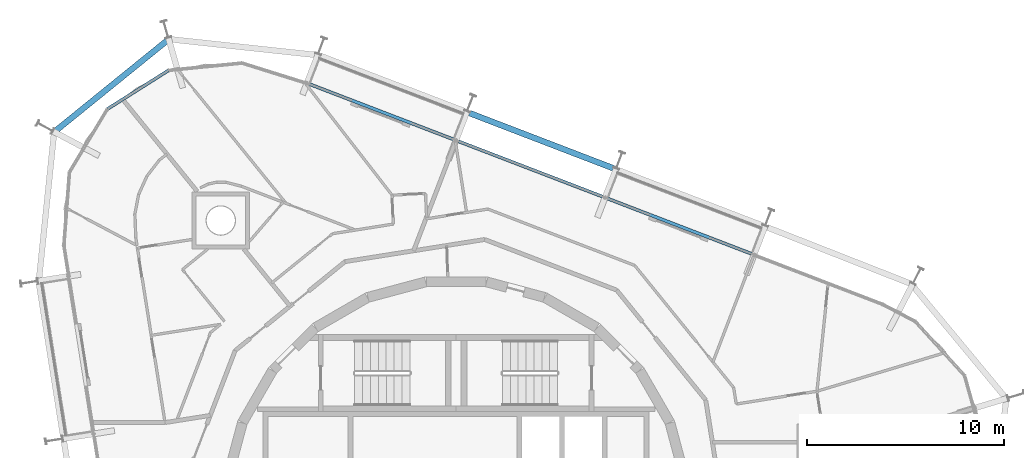
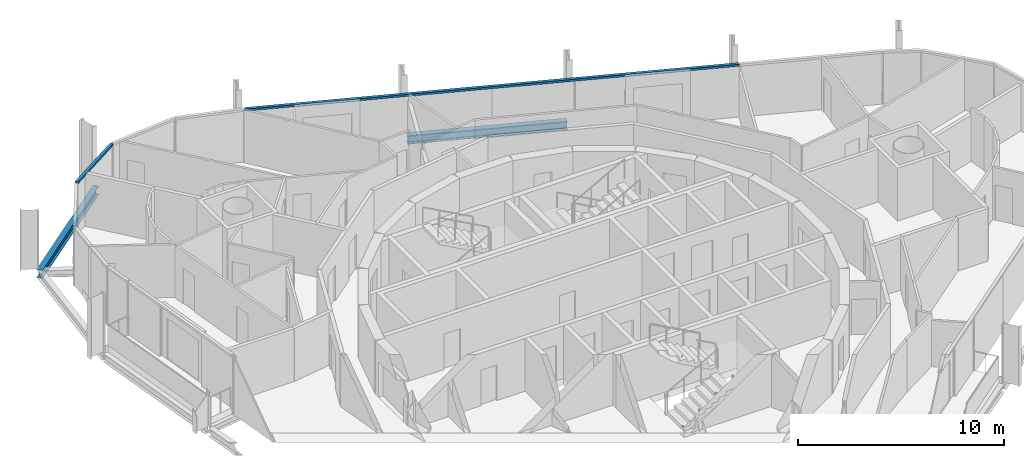
# One storey, part 7 of 18: 2 beams, 2 members, 2 elements without a shape of their own.
"""IFC4 building model written with IfcOpenShell, lengths in metres."""

from ifc_helpers import new_model, si_unit, direction, frame, origin, origin_2d, place, context, subcontext, project, spatial, rectangle, i_section, extrude, material, layer, layer_set, material_profile, profile_set, type_object, element, aggregate, save


model = new_model("IFC4")

# Units and contexts
model_context = context("Model", 3, precision=1e-05, world=origin(), true_north=direction((0.0, 1.0)))
body_context = subcontext(model_context, "Body", "Model", "MODEL_VIEW")
ifc_project = project(units=[si_unit("LENGTHUNIT", "METRE"), si_unit("AREAUNIT", "SQUARE_METRE"), si_unit("VOLUMEUNIT", "CUBIC_METRE"), si_unit("PLANEANGLEUNIT", "RADIAN"), si_unit("MASSUNIT", "GRAM", prefix="KILO")], contexts=[model_context])

# Site, building, storey
site_placement = place(None, origin())
site = spatial("IfcSite", under=ifc_project, at=site_placement, CompositionType="ELEMENT")
building_placement = place(site_placement, origin())
building = spatial("IfcBuilding", under=site, at=building_placement, Name="Spindle Arch Residences", CompositionType="ELEMENT")
storey_placement = place(building_placement, frame((0.0, 0.0, 273.89990234375)))
storey = spatial("IfcBuildingStorey", under=building, at=storey_placement, Name="L70", CompositionType="ELEMENT", Elevation=273.89990234375)

# Curtain wall, member
ifc_material_1 = material(Name="Aluminium bronze unitised frame with tinted glass", Category="aluminium")
ifc_layer_1 = layer(ifc_material_1, 0.159912109375)
ifc_layer_set_1 = layer_set([ifc_layer_1], Name="CW-C typical residential unitised wall")
curtain_wall_type_1 = type_object("IfcCurtainWallType", Name="CW-C typical residential unitised wall", PredefinedType="NOTDEFINED", material=ifc_layer_set_1)
curtain_wall_1_placement = place(storey_placement, origin())
curtain_wall_1 = element("IfcCurtainWall", 1, at=curtain_wall_1_placement, inside=storey, type_object=curtain_wall_type_1, Name="CW-C L70 run 2", PredefinedType="NOTDEFINED")
ifc_material_2 = material(Name="Aluminium bronze anodised transom", Category="aluminium")
ifc_material_profile_1 = material_profile(ifc_material_2, rectangle(XDim=0.159912109375, YDim=0.1201171875, at=origin_2d()), Name="TR 120x160")
ifc_profile_set_1 = profile_set([ifc_material_profile_1], Name="Aluminium bronze anodised transom")
member_type = type_object("IfcMemberType", Name="Bronze transom 120x160", PredefinedType="USERDEFINED", material=ifc_profile_set_1)
member_1_placement = place(storey_placement, frame((15.1015625, 13.0302734375, 3.06005859375), z_axis=(-0.933583473728, 0.358360011138, 0.0), x_axis=(-0.358360011138, -0.933583473728, 0.0)))
member_1 = element("IfcMember", 2, at=member_1_placement, type_object=member_type, Name="CW-C transom 00", ObjectType="TRANSOM", PredefinedType="USERDEFINED", context=body_context, shape_type="SweptSolid", body=[
    extrude(rectangle(XDim=0.159912109375, YDim=0.1201171875, at=origin_2d()), origin(), (0.0, 0.0, 1.0), 24.262939453125),
])
aggregate(curtain_wall_1, [member_1])

ifc_material_3 = material(Name="Aluminium bronze unitised frame with tinted glass", Category="aluminium")
ifc_layer_2 = layer(ifc_material_3, 0.159912109375)
ifc_layer_set_2 = layer_set([ifc_layer_2], Name="CW-D corner wall on the fillet arcs")
curtain_wall_type_2 = type_object("IfcCurtainWallType", Name="CW-D corner wall on the fillet arcs", PredefinedType="NOTDEFINED", material=ifc_layer_set_2)
curtain_wall_2_placement = place(storey_placement, origin())
curtain_wall_2 = element("IfcCurtainWall", 3, at=curtain_wall_2_placement, inside=storey, type_object=curtain_wall_type_2, Name="CW-D L70 run 3", PredefinedType="NOTDEFINED")
member_2_placement = place(storey_placement, frame((-14.608642578125, 22.38427734375, 3.06005859375), z_axis=(-0.844958488621, -0.53483189182, 0.0), x_axis=(0.53483189182, -0.844958488621, 0.0)))
member_2 = element("IfcMember", 4, at=member_2_placement, type_object=member_type, Name="CW-D transom 02", ObjectType="TRANSOM", PredefinedType="USERDEFINED", context=body_context, shape_type="SweptSolid", body=[
    extrude(rectangle(XDim=0.159912109375, YDim=0.1201171875, at=origin_2d()), origin(), (0.0, 0.0, 1.0), 3.6669921875),
])
aggregate(curtain_wall_2, [member_2])

# Beams
ifc_material_4 = material(Name="Steel S460ML, intumescent coating R 120", Category="steel")
ifc_material_profile_2 = material_profile(ifc_material_4, i_section(OverallWidth=0.300048828125, OverallDepth=0.5, WebThickness=0.014404296875, FlangeThickness=0.028076171875, FilletRadius=0.027099609375, at=origin_2d()), Name="HEB 500")
ifc_profile_set_2 = profile_set([ifc_material_profile_2], Name="Steel S460ML, intumescent coating R 120")
beam_type = type_object("IfcBeamType", Name="Exoskeleton edge beam HEB 500", PredefinedType="BEAM", material=ifc_profile_set_2)
beam_1_placement = place(storey_placement, frame((7.990966796875, 17.4091796875, -0.6298828125), z_axis=(-0.933573929793, 0.358384873579, 0.0), x_axis=(-0.358384873579, -0.933573929793, 0.0)))
element("IfcBeam", 5, at=beam_1_placement, inside=storey, type_object=beam_type, Name="Exoskeleton edge beam 7", PredefinedType="BEAM", context=body_context, shape_type="SweptSolid", body=[
    extrude(i_section(OverallWidth=0.300048828125, OverallDepth=0.5, WebThickness=0.014404296875, FlangeThickness=0.028076171875, FilletRadius=0.027099609375, at=origin_2d()), origin(), (0.0, 0.0, 1.0), 7.84765625),
])
beam_2_placement = place(storey_placement, frame((-14.536376953125, 24.014404296875, -0.6298828125), z_axis=(-0.777131622496, -0.62933809778, 0.0), x_axis=(0.62933809778, -0.777131622496, 0.0)))
element("IfcBeam", 6, at=beam_2_placement, inside=storey, type_object=beam_type, Name="Exoskeleton edge beam 10", PredefinedType="BEAM", context=body_context, shape_type="SweptSolid", body=[
    extrude(i_section(OverallWidth=0.300048828125, OverallDepth=0.5, WebThickness=0.014404296875, FlangeThickness=0.028076171875, FilletRadius=0.027099609375, at=origin_2d()), origin(), (0.0, 0.0, 1.0), 7.6318359375),
])

save(model, "model.ifc")
